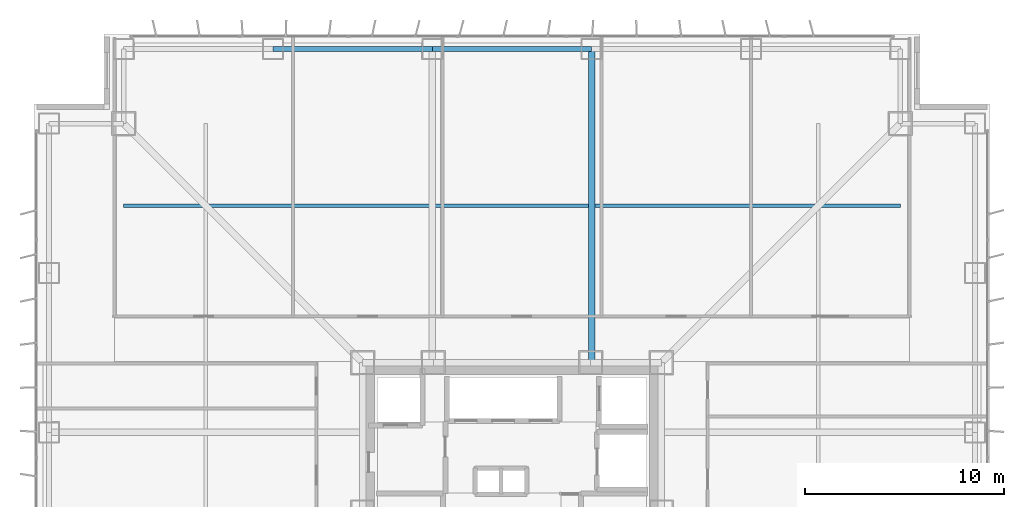
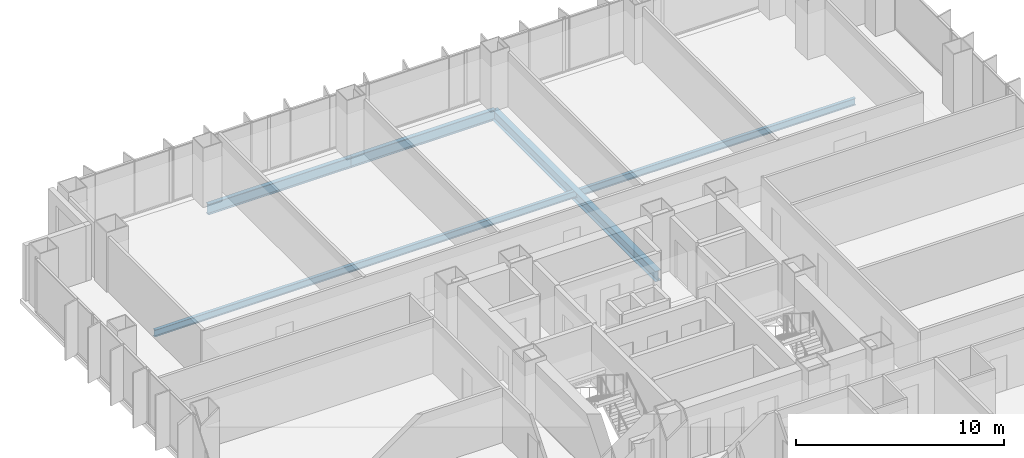
# One storey, part 10 of 19: 4 beams.
"""IFC4 building model written with IfcOpenShell, lengths in metres."""

from ifc_helpers import new_model, si_unit, direction, frame, origin, origin_2d, place, context, subcontext, project, spatial, i_section, extrude, material, material_profile, profile_set, type_object, element, save


model = new_model("IFC4")

# Units and contexts
model_context = context("Model", 3, precision=1e-05, world=origin(), true_north=direction((0.0, 1.0)))
body_context = subcontext(model_context, "Body", "Model", "MODEL_VIEW")
ifc_project = project(units=[si_unit("LENGTHUNIT", "METRE"), si_unit("AREAUNIT", "SQUARE_METRE"), si_unit("VOLUMEUNIT", "CUBIC_METRE"), si_unit("PLANEANGLEUNIT", "RADIAN"), si_unit("MASSUNIT", "GRAM", prefix="KILO")], contexts=[model_context])

# Site, building, storey
site_placement = place(None, origin())
site = spatial("IfcSite", under=ifc_project, at=site_placement, CompositionType="ELEMENT")
building_placement = place(site_placement, origin())
building = spatial("IfcBuilding", under=site, at=building_placement, Name="Trevonay Congress Spire", CompositionType="ELEMENT")
storey_placement = place(building_placement, frame((0.0, 0.0, 58.5)))
storey = spatial("IfcBuildingStorey", under=building, at=storey_placement, Name="L14", CompositionType="ELEMENT", Elevation=58.5)

# Beams
ifc_material = material(Name="Steel ASTM A572 Grade 50", Category="steel")
ifc_material_profile_1 = material_profile(ifc_material, i_section(OverallWidth=0.324951171875, OverallDepth=0.615966796875, WebThickness=0.013916015625, FlangeThickness=0.021484375, FilletRadius=0.01806640625, at=origin_2d()), Name="W610x174")
ifc_profile_set_1 = profile_set([ifc_material_profile_1], Name="Steel ASTM A572 Grade 50")
beam_type_1 = type_object("IfcBeamType", Name="BM-GIRD-W610X174", PredefinedType="BEAM", material=ifc_profile_set_1)
beam_1_placement = place(storey_placement, frame((4.0, 7.5, -0.55810546875), z_axis=(0.0, 1.0, 0.0), x_axis=(-1.0, 0.0, 0.0)))
element("IfcBeam", 1, at=beam_1_placement, inside=storey, type_object=beam_type_1, Name="L14 structural beam BM-L14-GN-P", PredefinedType="BEAM", context=body_context, shape_type="SweptSolid", body=[
    extrude(i_section(OverallWidth=0.324951171875, OverallDepth=0.615966796875, WebThickness=0.013916015625, FlangeThickness=0.021484375, FilletRadius=0.01806640625, at=origin_2d()), origin(), (0.0, 0.0, 1.0), 15.75),
])
ifc_material_profile_2 = material_profile(ifc_material, i_section(OverallWidth=0.22998046875, OverallDepth=0.616943359375, WebThickness=0.01318359375, FlangeThickness=0.022216796875, FilletRadius=0.01611328125, at=origin_2d()), Name="W610x140")
ifc_profile_set_2 = profile_set([ifc_material_profile_2], Name="Steel ASTM A572 Grade 50")
beam_type_2 = type_object("IfcBeamType", Name="BM-RING-W610X140", PredefinedType="BEAM", material=ifc_profile_set_2)
for number, where, z_axis, x_axis, name in (
    (2, (-12.0, 23.25, -0.55859375), (1.0, 0.0, 0.0), (0.0, 1.0, 0.0), "L14 structural beam BM-L14-PN2"),
    (3, (-4.0, 23.25, -0.55859375), (1.0, 0.0, 0.0), (0.0, 1.0, 0.0), "L14 structural beam BM-L14-PN3"),
):
    element("IfcBeam", number, at=place(storey_placement, frame(where, z_axis=z_axis, x_axis=x_axis)), inside=storey, type_object=beam_type_2, Name=name, PredefinedType="BEAM", context=body_context, shape_type="SweptSolid", body=[
        extrude(i_section(OverallWidth=0.22998046875, OverallDepth=0.616943359375, WebThickness=0.01318359375, FlangeThickness=0.022216796875, FilletRadius=0.01611328125, at=origin_2d()), origin(), (0.0, 0.0, 1.0), 8.0),
    ])
ifc_material_profile_3 = material_profile(ifc_material, i_section(OverallWidth=0.177978515625, OverallDepth=0.406982421875, WebThickness=0.0078125, FlangeThickness=0.0126953125, FilletRadius=0.012939453125, at=origin_2d()), Name="W410x60")
ifc_profile_set_3 = profile_set([ifc_material_profile_3], Name="Steel ASTM A572 Grade 50")
beam_type_3 = type_object("IfcBeamType", Name="JS-COMP-W410X60", PredefinedType="JOIST", material=ifc_profile_set_3)
beam_2_placement = place(storey_placement, frame((-19.5, 15.375, -0.45361328125), z_axis=(1.0, 0.0, 0.0), x_axis=(0.0, 1.0, 0.0)))
element("IfcBeam", 4, at=beam_2_placement, inside=storey, type_object=beam_type_3, Name="L14 structural beam JS-L14-RING-N", PredefinedType="JOIST", context=body_context, shape_type="SweptSolid", body=[
    extrude(i_section(OverallWidth=0.177978515625, OverallDepth=0.406982421875, WebThickness=0.0078125, FlangeThickness=0.0126953125, FilletRadius=0.012939453125, at=origin_2d()), origin(), (0.0, 0.0, 1.0), 39.0),
])

save(model, "model.ifc")
